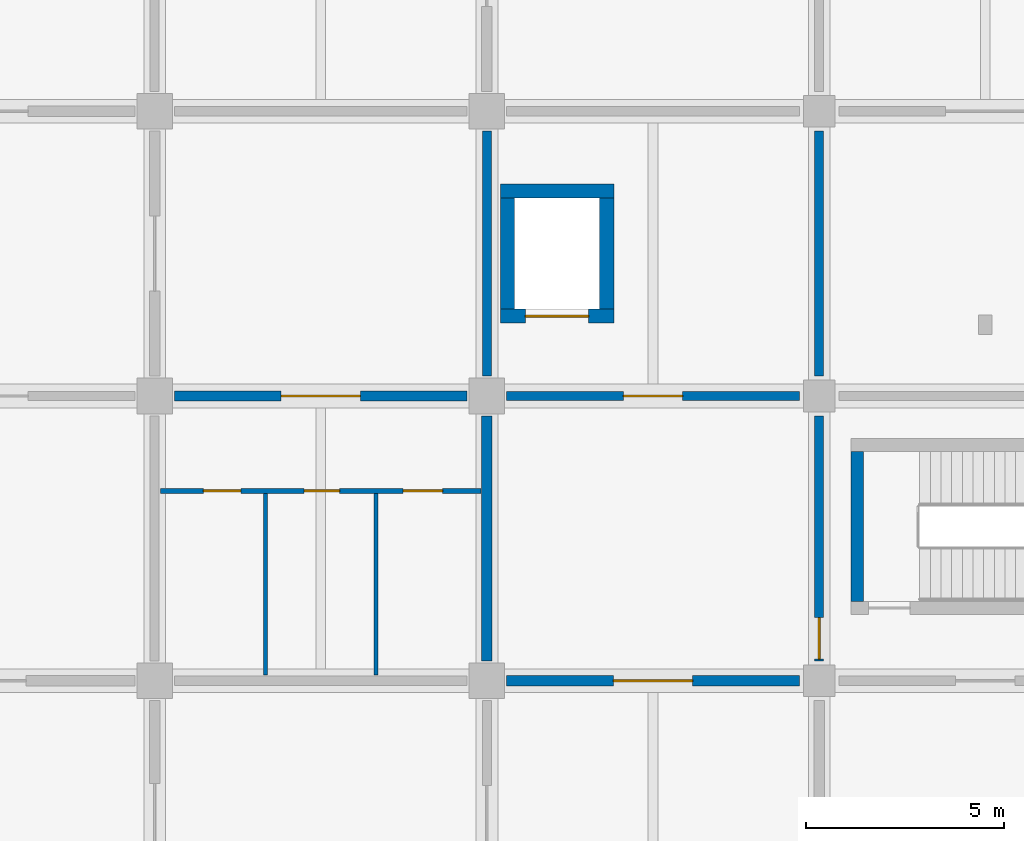
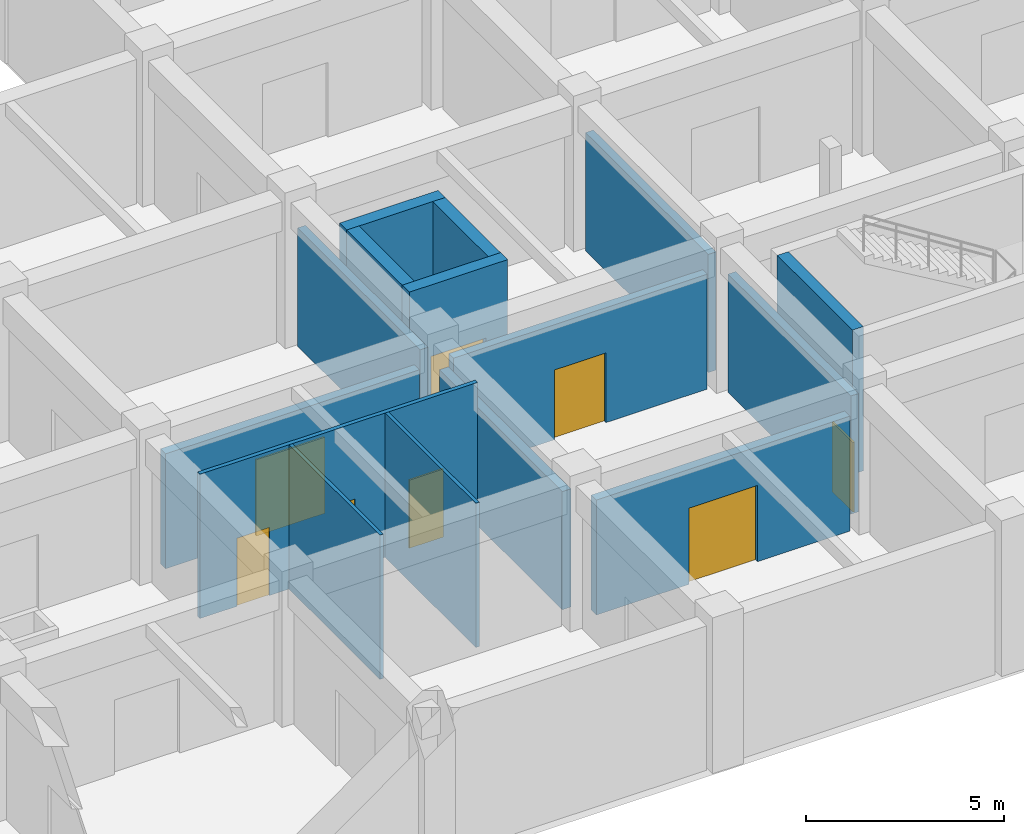
# One storey, part 23 of 32: 15 walls, 8 doors, 8 openings.
"""IFC4 building model written with IfcOpenShell, lengths in metres."""

from ifc_helpers import new_model, si_unit, derived_unit, direction, frame, frame_2d, origin, place, context, subcontext, project, spatial, rectangle, extrude, material, layer, layer_set, type_object, element, fill, save


model = new_model("IFC4")

# Units and contexts
model_context = context("Model", 3, precision=1e-05, world=origin(), true_north=direction((0.0, 1.0)))
body_context = subcontext(model_context, "Body", "Model", "MODEL_VIEW")
ifc_project = project(units=[si_unit("LENGTHUNIT", "METRE"), si_unit("AREAUNIT", "SQUARE_METRE"), si_unit("VOLUMEUNIT", "CUBIC_METRE"), si_unit("PLANEANGLEUNIT", "RADIAN"), si_unit("MASSUNIT", "GRAM", prefix="KILO"), derived_unit("THERMALTRANSMITTANCEUNIT", [(si_unit("MASSUNIT", "GRAM", prefix="KILO"), 1), (si_unit("TIMEUNIT", "SECOND"), -3), (si_unit("THERMODYNAMICTEMPERATUREUNIT", "KELVIN"), -1)])], contexts=[model_context])

# Site, building, storey
site_placement = place(None, origin())
site = spatial("IfcSite", under=ifc_project, at=site_placement, CompositionType="ELEMENT")
building_placement = place(site_placement, origin())
building = spatial("IfcBuilding", under=site, at=building_placement, Name="Veldstrom Oceanarium and Marine Research Institute", CompositionType="ELEMENT")
storey_placement = place(building_placement, frame((0.0, 0.0, -4.800048828125)))
storey = spatial("IfcBuildingStorey", under=building, at=storey_placement, Name="B01", CompositionType="ELEMENT", Elevation=-4.800048828125)

# Wall
ifc_material_1 = material(Name="Masonry Fire Compartment Wall", Category="masonry")
ifc_layer_1 = layer(ifc_material_1, 0.22998046875)
ifc_layer_set_1 = layer_set([ifc_layer_1], Name="ARC-WAL-PT1")
wall_type_1 = type_object("IfcWallType", Name="ARC-WAL-PT1", PredefinedType="PARTITIONING", material=ifc_layer_set_1)
wall_1_placement = place(storey_placement, frame((117.60009765625, 58.10009765625, 0.0), z_axis=(0.0, 0.0, 1.0), x_axis=(0.0, 1.0, 0.0)))
element("IfcWall", 1, at=wall_1_placement, inside=storey, type_object=wall_type_1, Name="Interior Partition PT1 B01-0462", PredefinedType="PARTITIONING", context=body_context, shape_type="SweptSolid", body=[
    extrude(rectangle(XDim=6.199951171875, YDim=0.22998046875, at=frame_2d((3.10009765625, 0.0))), origin(), (0.0, 0.0, 1.0), 3.64501953125),
])

# Wall, opening, door
wall_2_placement = place(storey_placement, frame((126.0, 50.89990234375, 0.0), z_axis=(0.0, 0.0, 1.0), x_axis=(0.0, 1.0, 0.0)))
wall_2 = element("IfcWall", 2, at=wall_2_placement, inside=storey, type_object=wall_type_1, Name="Interior Partition PT1 B01-0467", PredefinedType="PARTITIONING", context=body_context, shape_type="SweptSolid", body=[
    extrude(rectangle(XDim=6.2001953125, YDim=0.22998046875, at=frame_2d((3.10009765625, 0.0))), origin(), (0.0, 0.0, 1.0), 3.64501953125),
])
opening_1_placement = place(wall_2_placement, frame((0.050048828125, 0.0, 0.0)))
opening_1 = element("IfcOpeningElement", 3, at=opening_1_placement, cuts=wall_2, Name="Opening D-B01-272", PredefinedType="OPENING", context=body_context, shape_type="SweptSolid", body=[
    extrude(rectangle(XDim=1.050048828125, YDim=2.14990234375, at=frame_2d((0.52490234375, 1.074951171875))), frame((0.0, 0.125, 0.0), z_axis=(0.0, -1.0, 0.0), x_axis=(1.0, 0.0, 0.0)), (0.0, 0.0, 1.0), 0.25),
])
ifc_material_2 = material(Name="Painted Steel Fire Door", Category="steel")
door_type_1 = type_object("IfcDoorType", Name="ARC-DOR-SD1", OperationType="SINGLE_SWING_LEFT", PredefinedType="DOOR", material=ifc_material_2)
door_1_placement = place(opening_1_placement, origin())
door_1 = element("IfcDoor", 4, at=door_1_placement, inside=storey, type_object=door_type_1, Name="Interior Door D-B01-272", OperationType="SINGLE_SWING_LEFT", OverallHeight=2.14990234375, OverallWidth=1.050048828125, PredefinedType="DOOR", context=body_context, shape_type="SweptSolid", body=[
    extrude(rectangle(XDim=1.050048828125, YDim=2.14990234375, at=frame_2d((0.52490234375, 1.074951171875))), frame((0.0, 0.02490234375, 0.0), z_axis=(0.0, -1.0, 0.0), x_axis=(1.0, 0.0, 0.0)), (0.0, 0.0, 1.0), 0.050048828125),
])
fill(opening_1, door_1)

wall_3_placement = place(storey_placement, frame((118.10009765625, 57.60009765625, 0.0), z_axis=(0.0, 0.0, 1.0), x_axis=(1.0, 0.0, 0.0)))
wall_3 = element("IfcWall", 5, at=wall_3_placement, inside=storey, type_object=wall_type_1, Name="Interior Partition PT1 B01-0468", PredefinedType="PARTITIONING", context=body_context, shape_type="SweptSolid", body=[
    extrude(rectangle(XDim=7.39990234375, YDim=0.22998046875, at=frame_2d((3.699951171875, 0.0))), origin(), (0.0, 0.0, 1.0), 3.545166015625),
])
opening_2_placement = place(wall_3_placement, frame((2.949951171875, 0.0, 0.0)))
opening_2 = element("IfcOpeningElement", 6, at=opening_2_placement, cuts=wall_3, Name="Opening D-B01-273", PredefinedType="OPENING", context=body_context, shape_type="SweptSolid", body=[
    extrude(rectangle(XDim=1.5, YDim=2.14990234375, at=frame_2d((0.75, 1.074951171875))), frame((0.0, 0.125, 0.0), z_axis=(0.0, -1.0, 0.0), x_axis=(1.0, 0.0, 0.0)), (0.0, 0.0, 1.0), 0.25),
])
ifc_material_3 = material(Name="Painted Steel Lobby Fire Door", Category="steel")
door_type_2 = type_object("IfcDoorType", Name="ARC-DOR-SD2", OperationType="DOUBLE_DOOR_SINGLE_SWING", PredefinedType="DOOR", material=ifc_material_3)
door_2_placement = place(opening_2_placement, frame((1.5, 0.0, 0.0), z_axis=(0.0, 0.0, 1.0), x_axis=(-1.0, 0.0, 0.0)))
door_2 = element("IfcDoor", 7, at=door_2_placement, inside=storey, type_object=door_type_2, Name="Interior Door D-B01-273", OperationType="DOUBLE_DOOR_SINGLE_SWING", OverallHeight=2.14990234375, OverallWidth=1.5, PredefinedType="DOOR", context=body_context, shape_type="SweptSolid", body=[
    extrude(rectangle(XDim=1.5, YDim=2.14990234375, at=frame_2d((0.75, 1.074951171875))), frame((0.0, 0.02490234375, 0.0), z_axis=(0.0, -1.0, 0.0), x_axis=(1.0, 0.0, 0.0)), (0.0, 0.0, 1.0), 0.050048828125),
])
fill(opening_2, door_2)

# Wall
wall_4_placement = place(storey_placement, frame((126.0, 58.10009765625, 0.0), z_axis=(0.0, 0.0, 1.0), x_axis=(0.0, 1.0, 0.0)))
element("IfcWall", 8, at=wall_4_placement, inside=storey, type_object=wall_type_1, Name="Interior Partition PT1 B01-0469", PredefinedType="PARTITIONING", context=body_context, shape_type="SweptSolid", body=[
    extrude(rectangle(XDim=6.199951171875, YDim=0.22998046875, at=frame_2d((3.10009765625, 0.0))), origin(), (0.0, 0.0, 1.0), 3.64501953125),
])

# Wall, openings, doors
ifc_material_4 = material(Name="Lightweight Studio Partition", Category="gypsum")
ifc_layer_2 = layer(ifc_material_4, 0.1201171875)
ifc_layer_set_2 = layer_set([ifc_layer_2], Name="ARC-WAL-PT6")
wall_type_2 = type_object("IfcWallType", Name="ARC-WAL-PT6", PredefinedType="PARTITIONING", material=ifc_layer_set_2)
wall_5_placement = place(storey_placement, frame((109.35009765625, 55.199951171875, 0.0), z_axis=(0.0, 0.0, 1.0), x_axis=(1.0, 0.0, 0.0)))
wall_5 = element("IfcWall", 9, at=wall_5_placement, inside=storey, type_object=wall_type_2, Name="Sanitary Vestibule Partition B01-13", PredefinedType="PARTITIONING", context=body_context, shape_type="SweptSolid", body=[
    extrude(rectangle(XDim=8.099853515625, YDim=0.1201171875, at=frame_2d((4.0498046875, 0.0))), origin(), (0.0, 0.0, 1.0), 4.449951171875),
])
opening_3_placement = place(wall_5_placement, frame((1.080078125, 0.0, 0.0)))
opening_3 = element("IfcOpeningElement", 10, at=opening_3_placement, cuts=wall_5, Name="Opening D-B01-WC169", PredefinedType="OPENING", context=body_context, shape_type="SweptSolid", body=[
    extrude(rectangle(XDim=0.949951171875, YDim=2.10009765625, at=frame_2d((0.47509765625, 1.050048828125))), frame((0.0, 0.070068359375, 0.0), z_axis=(0.0, -1.0, 0.0), x_axis=(1.0, 0.0, 0.0)), (0.0, 0.0, 1.0), 0.14013671875),
])
opening_4_placement = place(wall_5_placement, frame((3.6298828125, 0.0, 0.0)))
opening_4 = element("IfcOpeningElement", 11, at=opening_4_placement, cuts=wall_5, Name="Opening D-B01-WC170", PredefinedType="OPENING", context=body_context, shape_type="SweptSolid", body=[
    extrude(rectangle(XDim=0.89990234375, YDim=2.10009765625, at=frame_2d((0.449951171875, 1.050048828125))), frame((0.0, 0.070068359375, 0.0), z_axis=(0.0, -1.0, 0.0), x_axis=(1.0, 0.0, 0.0)), (0.0, 0.0, 1.0), 0.14013671875),
])
opening_5_placement = place(wall_5_placement, frame((6.1298828125, 0.0, 0.0)))
opening_5 = element("IfcOpeningElement", 12, at=opening_5_placement, cuts=wall_5, Name="Opening D-B01-WC171", PredefinedType="OPENING", context=body_context, shape_type="SweptSolid", body=[
    extrude(rectangle(XDim=1.0, YDim=2.10009765625, at=frame_2d((0.5, 1.050048828125))), frame((0.0, 0.070068359375, 0.0), z_axis=(0.0, -1.0, 0.0), x_axis=(1.0, 0.0, 0.0)), (0.0, 0.0, 1.0), 0.14013671875),
])
ifc_material_5 = material(Name="Accessible Sanitary Door", Category="timber")
door_type_3 = type_object("IfcDoorType", Name="ARC-DOR-ID08", OperationType="SINGLE_SWING_RIGHT", PredefinedType="DOOR", material=ifc_material_5)
door_3_placement = place(opening_5_placement, frame((1.0, 0.0, 0.0), z_axis=(0.0, 0.0, 1.0), x_axis=(-1.0, 0.0, 0.0)))
door_3 = element("IfcDoor", 13, at=door_3_placement, inside=storey, type_object=door_type_3, Name="Accessible WC Door D-B01-WC171", OperationType="SINGLE_SWING_RIGHT", OverallHeight=2.10009765625, OverallWidth=1.0, PredefinedType="DOOR", context=body_context, shape_type="SweptSolid", body=[
    extrude(rectangle(XDim=1.0, YDim=2.10009765625, at=frame_2d((0.5, 1.050048828125))), frame((0.0, 0.02490234375, 0.0), z_axis=(0.0, -1.0, 0.0), x_axis=(1.0, 0.0, 0.0)), (0.0, 0.0, 1.0), 0.050048828125),
])
fill(opening_5, door_3)
ifc_material_6 = material(Name="Staff Sanitary Door", Category="timber")
door_type_4 = type_object("IfcDoorType", Name="ARC-DOR-ID09", OperationType="SINGLE_SWING_LEFT", PredefinedType="DOOR", material=ifc_material_6)
door_4_placement = place(opening_3_placement, frame((0.949951171875, 0.0, 0.0), z_axis=(0.0, 0.0, 1.0), x_axis=(-1.0, 0.0, 0.0)))
door_4 = element("IfcDoor", 14, at=door_4_placement, inside=storey, type_object=door_type_4, Name="Male WC Door D-B01-WC169", OperationType="SINGLE_SWING_RIGHT", OverallHeight=2.10009765625, OverallWidth=0.949951171875, PredefinedType="DOOR", context=body_context, shape_type="SweptSolid", body=[
    extrude(rectangle(XDim=0.949951171875, YDim=2.10009765625, at=frame_2d((0.47509765625, 1.050048828125))), frame((0.0, 0.02490234375, 0.0), z_axis=(0.0, -1.0, 0.0), x_axis=(1.0, 0.0, 0.0)), (0.0, 0.0, 1.0), 0.050048828125),
])
fill(opening_3, door_4)
ifc_material_7 = material(Name="Internal Sanitary Door", Category="timber")
door_type_5 = type_object("IfcDoorType", Name="ARC-DOR-ID10", OperationType="SINGLE_SWING_RIGHT", PredefinedType="DOOR", material=ifc_material_7)
door_5_placement = place(opening_4_placement, frame((0.89990234375, 0.0, 0.0), z_axis=(0.0, 0.0, 1.0), x_axis=(-1.0, 0.0, 0.0)))
door_5 = element("IfcDoor", 15, at=door_5_placement, inside=storey, type_object=door_type_5, Name="Female WC Door D-B01-WC170", OperationType="SINGLE_SWING_LEFT", OverallHeight=2.10009765625, OverallWidth=0.89990234375, PredefinedType="DOOR", context=body_context, shape_type="SweptSolid", body=[
    extrude(rectangle(XDim=0.89990234375, YDim=2.10009765625, at=frame_2d((0.449951171875, 1.050048828125))), frame((0.0, 0.02490234375, 0.0), z_axis=(0.0, -1.0, 0.0), x_axis=(1.0, 0.0, 0.0)), (0.0, 0.0, 1.0), 0.050048828125),
])
fill(opening_4, door_5)

# Walls
ifc_material_8 = material(Name="Sanitary Cubicle Partition", Category="gypsum")
ifc_layer_3 = layer(ifc_material_8, 0.10009765625)
ifc_layer_set_3 = layer_set([ifc_layer_3], Name="ARC-WAL-PT7")
wall_type_3 = type_object("IfcWallType", Name="ARC-WAL-PT7", PredefinedType="PARTITIONING", material=ifc_layer_set_3)
for number, where, z_axis, x_axis, name in (
    (16, (112.0, 50.550048828125, 0.0), (0.0, 0.0, 1.0), (0.0, 1.0, 0.0), "Sanitary Stall Divider Wall B01-0293"),
    (17, (114.800048828125, 50.550048828125, 0.0), (0.0, 0.0, 1.0), (0.0, 1.0, 0.0), "Sanitary Stall Divider Wall B01-0294"),
):
    element("IfcWall", number, at=place(storey_placement, frame(where, z_axis=z_axis, x_axis=x_axis)), inside=storey, type_object=wall_type_3, Name=name, PredefinedType="PARTITIONING", context=body_context, shape_type="SweptSolid", body=[
        extrude(rectangle(XDim=4.58984375, YDim=0.10009765625, at=frame_2d((2.294921875, 0.0))), origin(), (0.0, 0.0, 1.0), 4.449951171875),
    ])
ifc_material_9 = material(Name="Plant Acoustic Masonry Wall", Category="masonry")
ifc_layer_4 = layer(ifc_material_9, 0.260009765625)
ifc_layer_set_4 = layer_set([ifc_layer_4], Name="ARC-WAL-PT8")
wall_type_4 = type_object("IfcWallType", Name="ARC-WAL-PT8", PredefinedType="PARTITIONING", material=ifc_layer_set_4)
wall_6_placement = place(storey_placement, frame((117.60009765625, 50.89990234375, 0.0), z_axis=(0.0, 0.0, 1.0), x_axis=(0.0, 1.0, 0.0)))
element("IfcWall", 18, at=wall_6_placement, inside=storey, type_object=wall_type_4, Name="Interior Partition PT8 B01-0460", PredefinedType="PARTITIONING", context=body_context, shape_type="SweptSolid", body=[
    extrude(rectangle(XDim=6.2001953125, YDim=0.260009765625, at=frame_2d((3.10009765625, 0.0))), origin(), (0.0, 0.0, 1.0), 3.64501953125),
])

# Wall, opening, door
wall_7_placement = place(storey_placement, frame((109.699951171875, 57.60009765625, 0.0), z_axis=(0.0, 0.0, 1.0), x_axis=(1.0, 0.0, 0.0)))
wall_7 = element("IfcWall", 19, at=wall_7_placement, inside=storey, type_object=wall_type_4, Name="Interior Partition PT8 B01-0461", PredefinedType="PARTITIONING", context=body_context, shape_type="SweptSolid", body=[
    extrude(rectangle(XDim=7.400146484375, YDim=0.260009765625, at=frame_2d((3.7001953125, 0.0))), origin(), (0.0, 0.0, 1.0), 3.545166015625),
])
opening_6_placement = place(wall_7_placement, frame((2.699951171875, 0.0, 0.0)))
opening_6 = element("IfcOpeningElement", 20, at=opening_6_placement, cuts=wall_7, Name="Opening D-B01-269", PredefinedType="OPENING", context=body_context, shape_type="SweptSolid", body=[
    extrude(rectangle(XDim=2.0, YDim=2.35009765625, at=frame_2d((1.0, 1.175048828125))), frame((0.0, 0.139892578125, 0.0), z_axis=(0.0, -1.0, 0.0), x_axis=(1.0, 0.0, 0.0)), (0.0, 0.0, 1.0), 0.280029296875),
])
ifc_material_10 = material(Name="Filtration Hall Double Door", Category="steel")
door_type_6 = type_object("IfcDoorType", Name="ARC-DOR-ID18", OperationType="DOUBLE_DOOR_SINGLE_SWING", PredefinedType="DOOR", material=ifc_material_10)
door_6_placement = place(opening_6_placement, frame((2.0, 0.0, 0.0), z_axis=(0.0, 0.0, 1.0), x_axis=(-1.0, 0.0, 0.0)))
door_6 = element("IfcDoor", 21, at=door_6_placement, inside=storey, type_object=door_type_6, Name="Interior Door D-B01-269", OperationType="DOUBLE_DOOR_SINGLE_SWING", OverallHeight=2.35009765625, OverallWidth=2.0, PredefinedType="DOOR", context=body_context, shape_type="SweptSolid", body=[
    extrude(rectangle(XDim=2.0, YDim=2.35009765625, at=frame_2d((1.0, 1.175048828125))), frame((0.0, 0.02490234375, 0.0), z_axis=(0.0, -1.0, 0.0), x_axis=(1.0, 0.0, 0.0)), (0.0, 0.0, 1.0), 0.050048828125),
])
fill(opening_6, door_6)

wall_8_placement = place(storey_placement, frame((118.10009765625, 50.39990234375, 0.0), z_axis=(0.0, 0.0, 1.0), x_axis=(1.0, 0.0, 0.0)))
wall_8 = element("IfcWall", 22, at=wall_8_placement, inside=storey, type_object=wall_type_4, Name="Interior Partition PT8 B01-0466", PredefinedType="PARTITIONING", context=body_context, shape_type="SweptSolid", body=[
    extrude(rectangle(XDim=7.39990234375, YDim=0.260009765625, at=frame_2d((3.699951171875, 0.0))), origin(), (0.0, 0.0, 1.0), 3.545166015625),
])
opening_7_placement = place(wall_8_placement, frame((2.699951171875, 0.0, 0.0)))
opening_7 = element("IfcOpeningElement", 23, at=opening_7_placement, cuts=wall_8, Name="Opening D-B01-271", PredefinedType="OPENING", context=body_context, shape_type="SweptSolid", body=[
    extrude(rectangle(XDim=2.0, YDim=2.35009765625, at=frame_2d((1.0, 1.175048828125))), frame((0.0, 0.139892578125, 0.0), z_axis=(0.0, -1.0, 0.0), x_axis=(1.0, 0.0, 0.0)), (0.0, 0.0, 1.0), 0.280029296875),
])
door_7_placement = place(opening_7_placement, frame((2.0, 0.0, 0.0), z_axis=(0.0, 0.0, 1.0), x_axis=(-1.0, 0.0, 0.0)))
door_7 = element("IfcDoor", 24, at=door_7_placement, inside=storey, type_object=door_type_6, Name="Interior Door D-B01-271", OperationType="DOUBLE_DOOR_SINGLE_SWING", OverallHeight=2.35009765625, OverallWidth=2.0, PredefinedType="DOOR", context=body_context, shape_type="SweptSolid", body=[
    extrude(rectangle(XDim=2.0, YDim=2.35009765625, at=frame_2d((1.0, 1.175048828125))), frame((0.0, 0.02490234375, 0.0), z_axis=(0.0, -1.0, 0.0), x_axis=(1.0, 0.0, 0.0)), (0.0, 0.0, 1.0), 0.050048828125),
])
fill(opening_7, door_7)

# Wall
ifc_material_11 = material(Name="Concrete C40/50", Category="concrete")
ifc_layer_5 = layer(ifc_material_11, 0.360107421875)
ifc_layer_set_5 = layer_set([ifc_layer_5], Name="STR-WAL-WC2")
wall_type_5 = type_object("IfcWallType", Name="STR-WAL-WC2", PredefinedType="SHEAR", material=ifc_layer_set_5)
wall_9_placement = place(storey_placement, frame((117.93994140625, 62.780029296875, 0.0), z_axis=(0.0, 0.0, 1.0), x_axis=(1.0, 0.0, 0.0)))
element("IfcWall", 25, at=wall_9_placement, inside=storey, type_object=wall_type_5, Name="Lift Shaft Shear Wall N B01 14/8", PredefinedType="SHEAR", context=body_context, shape_type="SweptSolid", body=[
    extrude(rectangle(XDim=2.8701171875, YDim=0.360107421875, at=frame_2d((1.43505859375, 0.0))), origin(), (0.0, 0.0, 1.0), 4.449951171875),
])

# Wall, opening, door
wall_10_placement = place(storey_placement, frame((117.93994140625, 59.6201171875, 0.0), z_axis=(0.0, 0.0, 1.0), x_axis=(1.0, 0.0, 0.0)))
wall_10 = element("IfcWall", 26, at=wall_10_placement, inside=storey, type_object=wall_type_5, Name="Lift Shaft Front Shear Wall LG1 B01", PredefinedType="SHEAR", context=body_context, shape_type="SweptSolid", body=[
    extrude(rectangle(XDim=2.8701171875, YDim=0.360107421875, at=frame_2d((1.43505859375, 0.0))), origin(), (0.0, 0.0, 1.0), 4.449951171875),
])
opening_8_placement = place(wall_10_placement, frame((0.635009765625, 0.0, 0.0)))
opening_8 = element("IfcOpeningElement", 27, at=opening_8_placement, cuts=wall_10, Name="Opening LD-LG1-B01", PredefinedType="OPENING", context=body_context, shape_type="SweptSolid", body=[
    extrude(rectangle(XDim=1.60009765625, YDim=2.25, at=frame_2d((0.800048828125, 1.125))), frame((0.0, 0.18994140625, 0.0), z_axis=(0.0, -1.0, 0.0), x_axis=(1.0, 0.0, 0.0)), (0.0, 0.0, 1.0), 0.380126953125),
])
ifc_material_12 = material(Name="Heavy Goods Lift Landing Door", Category="steel")
door_type_7 = type_object("IfcDoorType", Name="ARC-DOR-LD4", OperationType="DOUBLE_DOOR_SLIDING", PredefinedType="DOOR", material=ifc_material_12)
door_8_placement = place(opening_8_placement, origin())
door_8 = element("IfcDoor", 28, at=door_8_placement, inside=storey, type_object=door_type_7, Name="Lift Landing Door LD-LG1-B01", OperationType="DOUBLE_DOOR_SLIDING", OverallHeight=2.25, OverallWidth=1.60009765625, PredefinedType="DOOR", context=body_context, shape_type="SweptSolid", body=[
    extrude(rectangle(XDim=1.60009765625, YDim=2.25, at=frame_2d((0.800048828125, 1.125))), frame((0.0, 0.02490234375, 0.0), z_axis=(0.0, -1.0, 0.0), x_axis=(1.0, 0.0, 0.0)), (0.0, 0.0, 1.0), 0.050048828125),
])
fill(opening_8, door_8)

# Walls
for number, where, z_axis, x_axis, name in (
    (29, (118.1201171875, 59.800048828125, 0.0), (0.0, 0.0, 1.0), (0.0, 1.0, 0.0), "Lift Shaft Shear Wall W B01 14/8"),
    (30, (120.6298828125, 59.800048828125, 0.0), (0.0, 0.0, 1.0), (0.0, 1.0, 0.0), "Lift Shaft Shear Wall E B01 14/8"),
):
    element("IfcWall", number, at=place(storey_placement, frame(where, z_axis=z_axis, x_axis=x_axis)), inside=storey, type_object=wall_type_5, Name=name, PredefinedType="SHEAR", context=body_context, shape_type="SweptSolid", body=[
        extrude(rectangle(XDim=2.800048828125, YDim=0.360107421875, at=frame_2d((1.39990234375, 0.0))), origin(), (0.0, 0.0, 1.0), 4.449951171875),
    ])
ifc_material_13 = material(Name="Concrete C40/50", Category="concrete")
ifc_layer_6 = layer(ifc_material_13, 0.320068359375)
ifc_layer_set_6 = layer_set([ifc_layer_6], Name="STR-WAL-WC3")
wall_type_6 = type_object("IfcWallType", Name="STR-WAL-WC3", PredefinedType="SHEAR", material=ifc_layer_set_6)
wall_11_placement = place(storey_placement, frame((126.9599609375, 52.39990234375, 0.0), z_axis=(0.0, 0.0, 1.0), x_axis=(0.0, 1.0, 0.0)))
element("IfcWall", 31, at=wall_11_placement, inside=storey, type_object=wall_type_6, Name="Stair Core Shear Wall SC4-B01-W", PredefinedType="SHEAR", context=body_context, shape_type="SweptSolid", body=[
    extrude(rectangle(XDim=3.800048828125, YDim=0.320068359375, at=frame_2d((1.89990234375, 0.0))), origin(), (0.0, 0.0, 1.0), 4.449951171875),
])

save(model, "model.ifc")
